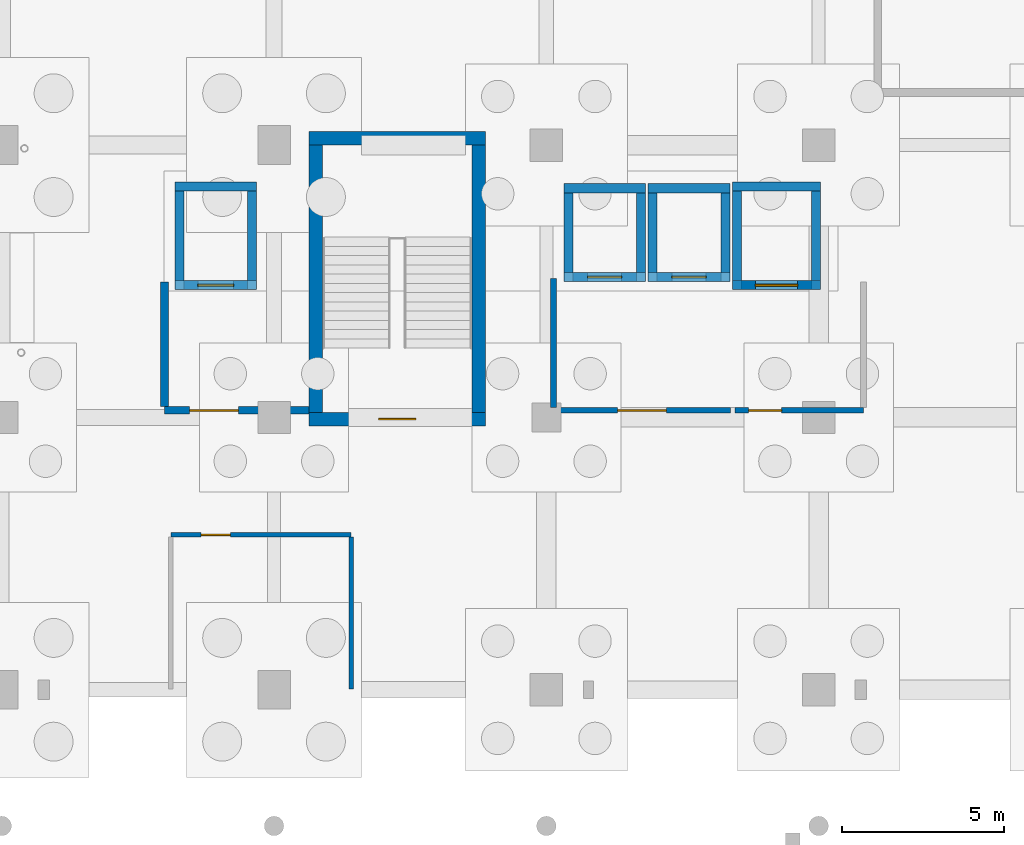
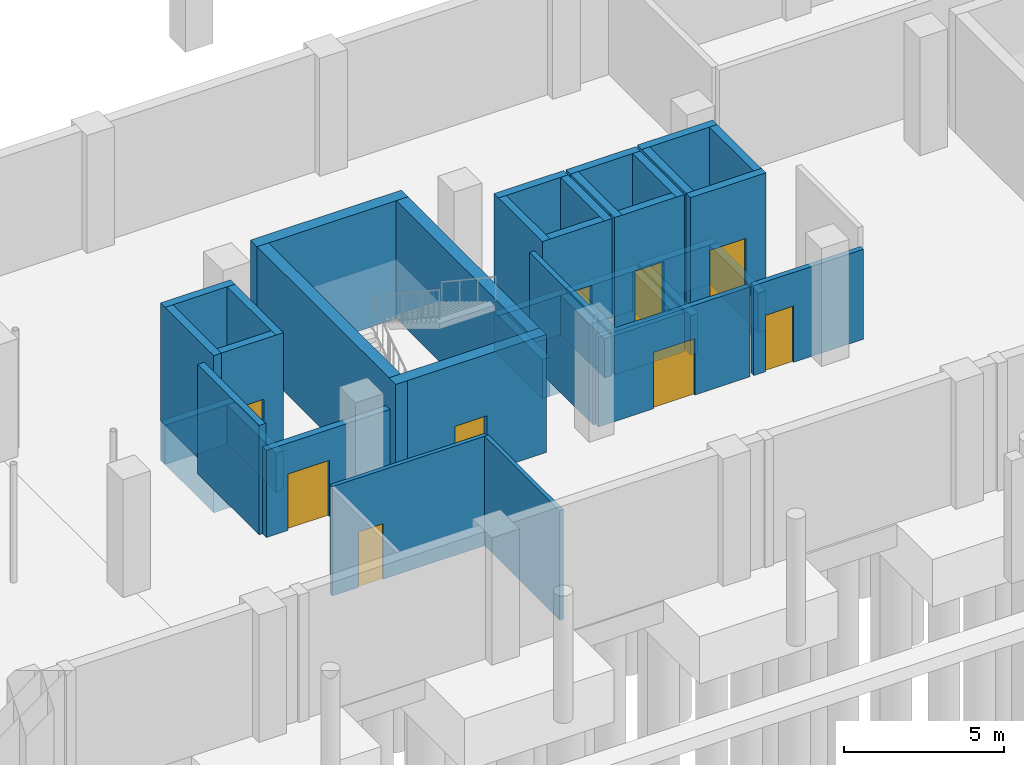
# One storey, part 31 of 39: 43 walls, 9 doors, 9 openings.
"""IFC4 building model written with IfcOpenShell, lengths in metres."""

from ifc_helpers import new_model, si_unit, derived_unit, direction, frame, frame_2d, origin, place, context, subcontext, project, spatial, rectangle, extrude, material, layer, layer_set, type_object, element, fill, save


model = new_model("IFC4")

# Units and contexts
model_context = context("Model", 3, precision=1e-05, world=origin(), true_north=direction((0.0, 1.0)))
body_context = subcontext(model_context, "Body", "Model", "MODEL_VIEW")
ifc_project = project(units=[si_unit("LENGTHUNIT", "METRE"), si_unit("AREAUNIT", "SQUARE_METRE"), si_unit("VOLUMEUNIT", "CUBIC_METRE"), si_unit("PLANEANGLEUNIT", "RADIAN"), si_unit("MASSUNIT", "GRAM", prefix="KILO"), derived_unit("THERMALTRANSMITTANCEUNIT", [(si_unit("POWERUNIT", "WATT"), 1), (si_unit("LENGTHUNIT", "METRE"), -2), (si_unit("THERMODYNAMICTEMPERATUREUNIT", "KELVIN"), -1)])], contexts=[model_context])

# Site, building, storey
site_placement = place(None, origin())
site = spatial("IfcSite", under=ifc_project, at=site_placement, CompositionType="ELEMENT")
building_placement = place(site_placement, origin())
building = spatial("IfcBuilding", under=site, at=building_placement, Name="Barrovel Congress Hotel", CompositionType="ELEMENT")
storey_placement = place(building_placement, frame((0.0, 0.0, -4.5)))
storey = spatial("IfcBuildingStorey", under=building, at=storey_placement, Name="B01", CompositionType="ELEMENT", Elevation=-4.5)

# Wall, opening, door
ifc_material_1 = material(Name="Gypsum Acoustic Stud", Category="gypsum")
ifc_layer_1 = layer(ifc_material_1, 0.179931640625)
ifc_layer_set_1 = layer_set([ifc_layer_1], Name="Gypsum Acoustic Stud")
wall_type_1 = type_object("IfcWallType", Name="PW-ACU-180", PredefinedType="PARTITIONING", material=ifc_layer_set_1)
wall_1_placement = place(storey_placement, frame((84.219970703125, 12.820068359375, 0.0), z_axis=(0.0, 0.0, 1.0), x_axis=(1.0, 0.0, 0.0)))
wall_1 = element("IfcWall", 1, at=wall_1_placement, inside=storey, type_object=wall_type_1, Name="RW:SP:B01:LL-C2:S", PredefinedType="PARTITIONING", context=body_context, shape_type="SweptSolid", body=[
    extrude(rectangle(XDim=5.4599609375, YDim=0.179931640625, at=frame_2d((2.72998046875, 0.0))), origin(), (0.0, 0.0, 1.0), 3.429931640625),
])
opening_1_placement = place(wall_1_placement, frame((1.97998046875, 0.0, 0.0)))
opening_1 = element("IfcOpeningElement", 2, at=opening_1_placement, cuts=wall_1, Name="Opening ID-FFL", PredefinedType="OPENING", context=body_context, shape_type="SweptSolid", body=[
    extrude(rectangle(XDim=1.5, YDim=2.14990234375, at=frame_2d((0.75, 1.074951171875))), frame((0.0, 0.10009765625, 0.0), z_axis=(0.0, -1.0, 0.0), x_axis=(1.0, 0.0, 0.0)), (0.0, 0.0, 1.0), 0.199951171875),
])
ifc_material_2 = material(Name="Painted Hollow-Metal Steel Door", Category="steel")
door_type_1 = type_object("IfcDoorType", Name="IDR-ID-FFL", OperationType="NOTDEFINED", PredefinedType="DOOR", material=ifc_material_2)
door_1_placement = place(opening_1_placement, origin())
door_1 = element("IfcDoor", 3, at=door_1_placement, inside=storey, type_object=door_type_1, Name="RD:SP:B01:LL-C2", OperationType="DOUBLE_DOOR_SINGLE_SWING", OverallHeight=2.14990234375, OverallWidth=1.5, PredefinedType="DOOR", context=body_context, shape_type="SweptSolid", body=[
    extrude(rectangle(XDim=1.5, YDim=2.14990234375, at=frame_2d((0.75, 1.074951171875))), frame((0.0, 0.02490234375, 0.0), z_axis=(0.0, -1.0, 0.0), x_axis=(1.0, 0.0, 0.0)), (0.0, 0.0, 1.0), 0.050048828125),
])
fill(opening_1, door_1)

# Wall
wall_2_placement = place(storey_placement, frame((84.219970703125, 12.909912109375, 0.0), z_axis=(0.0, 0.0, 1.0), x_axis=(0.0, 1.0, 0.0)))
element("IfcWall", 4, at=wall_2_placement, inside=storey, type_object=wall_type_1, Name="RW:SP:B01:LL-C2:W", PredefinedType="PARTITIONING", context=body_context, shape_type="SweptSolid", body=[
    extrude(rectangle(XDim=3.969970703125, YDim=0.179931640625, at=frame_2d((1.98486328125, 0.0))), origin(), (0.0, 0.0, 1.0), 4.175048828125),
])

# Wall, opening, door
wall_3_placement = place(storey_placement, frame((89.820068359375, 12.820068359375, 0.0), z_axis=(0.0, 0.0, 1.0), x_axis=(1.0, 0.0, 0.0)))
wall_3 = element("IfcWall", 5, at=wall_3_placement, inside=storey, type_object=wall_type_1, Name="RW:SP:B01:LL-SL2:S", PredefinedType="PARTITIONING", context=body_context, shape_type="SweptSolid", body=[
    extrude(rectangle(XDim=3.9599609375, YDim=0.179931640625, at=frame_2d((1.97998046875, 0.0))), origin(), (0.0, 0.0, 1.0), 3.429931640625),
])
opening_2_placement = place(wall_3_placement, frame((0.419921875, 0.0, 0.0)))
opening_2 = element("IfcOpeningElement", 6, at=opening_2_placement, cuts=wall_3, Name="Opening ID-ACC", PredefinedType="OPENING", context=body_context, shape_type="SweptSolid", body=[
    extrude(rectangle(XDim=1.02001953125, YDim=2.14990234375, at=frame_2d((0.510009765625, 1.074951171875))), frame((0.0, 0.10009765625, 0.0), z_axis=(0.0, -1.0, 0.0), x_axis=(1.0, 0.0, 0.0)), (0.0, 0.0, 1.0), 0.199951171875),
])
ifc_material_3 = material(Name="Solid Oak Acoustic Timber Door", Category="wood")
door_type_2 = type_object("IfcDoorType", Name="IDR-ID-ACC", OperationType="NOTDEFINED", PredefinedType="DOOR", material=ifc_material_3)
door_2_placement = place(opening_2_placement, origin())
door_2 = element("IfcDoor", 7, at=door_2_placement, inside=storey, type_object=door_type_2, Name="RD:SP:B01:LL-SL2", OperationType="SINGLE_SWING_LEFT", OverallHeight=2.14990234375, OverallWidth=1.02001953125, PredefinedType="DOOR", context=body_context, shape_type="SweptSolid", body=[
    extrude(rectangle(XDim=1.02001953125, YDim=2.14990234375, at=frame_2d((0.510009765625, 1.074951171875))), frame((0.0, 0.02490234375, 0.0), z_axis=(0.0, -1.0, 0.0), x_axis=(1.0, 0.0, 0.0)), (0.0, 0.0, 1.0), 0.050048828125),
])
fill(opening_2, door_2)

ifc_material_4 = material(Name="Fired Clay Brick Masonry", Category="masonry")
ifc_layer_2 = layer(ifc_material_4, 0.239990234375)
ifc_layer_set_2 = layer_set([ifc_layer_2], Name="Fired Clay Brick Masonry")
wall_type_2 = type_object("IfcWallType", Name="PW-MAS-240", PredefinedType="PARTITIONING", material=ifc_layer_set_2)
wall_4_placement = place(storey_placement, frame((72.219970703125, 12.820068359375, 0.0), z_axis=(0.0, 0.0, 1.0), x_axis=(1.0, 0.0, 0.0)))
wall_4 = element("IfcWall", 8, at=wall_4_placement, inside=storey, type_object=wall_type_2, Name="RW:SP:B01:FFL-2:S", PredefinedType="PARTITIONING", context=body_context, shape_type="SweptSolid", body=[
    extrude(rectangle(XDim=4.4599609375, YDim=0.239990234375, at=frame_2d((2.22998046875, 0.0))), origin(), (0.0, 0.0, 1.0), 3.330078125),
])
opening_3_placement = place(wall_4_placement, frame((0.780029296875, 0.0, 0.0)))
opening_3 = element("IfcOpeningElement", 9, at=opening_3_placement, cuts=wall_4, Name="Opening ID-FFL", PredefinedType="OPENING", context=body_context, shape_type="SweptSolid", body=[
    extrude(rectangle(XDim=1.5, YDim=2.14990234375, at=frame_2d((0.75, 1.074951171875))), frame((0.0, 0.1298828125, 0.0), z_axis=(0.0, -1.0, 0.0), x_axis=(1.0, 0.0, 0.0)), (0.0, 0.0, 1.0), 0.260009765625),
])
door_3_placement = place(opening_3_placement, origin())
door_3 = element("IfcDoor", 10, at=door_3_placement, inside=storey, type_object=door_type_1, Name="RD:SP:B01:FFL-2", OperationType="DOUBLE_DOOR_SINGLE_SWING", OverallHeight=2.14990234375, OverallWidth=1.5, PredefinedType="DOOR", context=body_context, shape_type="SweptSolid", body=[
    extrude(rectangle(XDim=1.5, YDim=2.14990234375, at=frame_2d((0.75, 1.074951171875))), frame((0.0, 0.02490234375, 0.0), z_axis=(0.0, -1.0, 0.0), x_axis=(1.0, 0.0, 0.0)), (0.0, 0.0, 1.0), 0.050048828125),
])
fill(opening_3, door_3)

# Wall
wall_5_placement = place(storey_placement, frame((72.219970703125, 12.93994140625, 0.0), z_axis=(0.0, 0.0, 1.0), x_axis=(0.0, 1.0, 0.0)))
element("IfcWall", 11, at=wall_5_placement, inside=storey, type_object=wall_type_2, Name="RW:SP:B01:FFL-2:W", PredefinedType="PARTITIONING", context=body_context, shape_type="SweptSolid", body=[
    extrude(rectangle(XDim=3.840087890625, YDim=0.239990234375, at=frame_2d((1.919921875, 0.0))), origin(), (0.0, 0.0, 1.0), 4.175048828125),
])

# Wall, opening, door
ifc_material_5 = material(Name="Gypsum Moisture Board", Category="gypsum")
ifc_layer_3 = layer(ifc_material_5, 0.139892578125)
ifc_layer_set_3 = layer_set([ifc_layer_3], Name="Gypsum Moisture Board")
wall_type_3 = type_object("IfcWallType", Name="PW-WET-140", PredefinedType="PARTITIONING", material=ifc_layer_set_3)
wall_6_placement = place(storey_placement, frame((72.419921875, 8.97998046875, 0.0), z_axis=(0.0, 0.0, 1.0), x_axis=(1.0, 0.0, 0.0)))
wall_6 = element("IfcWall", 12, at=wall_6_placement, inside=storey, type_object=wall_type_3, Name="RW:SP:B01:WC-B01:N", PredefinedType="PARTITIONING", context=body_context, shape_type="SweptSolid", body=[
    extrude(rectangle(XDim=5.56005859375, YDim=0.139892578125, at=frame_2d((2.780029296875, 0.0))), origin(), (0.0, 0.0, 1.0), 4.175048828125),
])
opening_4_placement = place(wall_6_placement, frame((0.929931640625, 0.0, 0.0)))
opening_4 = element("IfcOpeningElement", 13, at=opening_4_placement, cuts=wall_6, Name="Opening ID-WC1", PredefinedType="OPENING", context=body_context, shape_type="SweptSolid", body=[
    extrude(rectangle(XDim=0.89990234375, YDim=2.1201171875, at=frame_2d((0.449951171875, 1.06005859375))), frame((0.0, 0.080078125, 0.0), z_axis=(0.0, -1.0, 0.0), x_axis=(1.0, 0.0, 0.0)), (0.0, 0.0, 1.0), 0.159912109375),
])
ifc_material_6 = material(Name="Lacquered Timber Moisture Door", Category="wood")
door_type_3 = type_object("IfcDoorType", Name="IDR-ID-WC1", OperationType="NOTDEFINED", PredefinedType="DOOR", material=ifc_material_6)
door_4_placement = place(opening_4_placement, origin())
door_4 = element("IfcDoor", 14, at=door_4_placement, inside=storey, type_object=door_type_3, Name="RD:SP:B01:WC-B01", OperationType="SINGLE_SWING_LEFT", OverallHeight=2.1201171875, OverallWidth=0.89990234375, PredefinedType="DOOR", context=body_context, shape_type="SweptSolid", body=[
    extrude(rectangle(XDim=0.89990234375, YDim=2.1201171875, at=frame_2d((0.449951171875, 1.06005859375))), frame((0.0, 0.02490234375, 0.0), z_axis=(0.0, -1.0, 0.0), x_axis=(1.0, 0.0, 0.0)), (0.0, 0.0, 1.0), 0.050048828125),
])
fill(opening_4, door_4)

# Walls
wall_7_placement = place(storey_placement, frame((77.97998046875, 4.219970703125, 0.0), z_axis=(0.0, 0.0, 1.0), x_axis=(0.0, 1.0, 0.0)))
element("IfcWall", 15, at=wall_7_placement, inside=storey, type_object=wall_type_3, Name="RW:SP:B01:WC-B01:E", PredefinedType="PARTITIONING", context=body_context, shape_type="SweptSolid", body=[
    extrude(rectangle(XDim=4.68994140625, YDim=0.139892578125, at=frame_2d((2.344970703125, 0.0))), origin(), (0.0, 0.0, 1.0), 4.175048828125),
])
ifc_material_7 = material(Name="Concrete C40", Category="concrete")
ifc_layer_4 = layer(ifc_material_7, 0.280029296875)
ifc_layer_set_4 = layer_set([ifc_layer_4], Name="Concrete C40")
wall_type_4 = type_object("IfcWallType", Name="SW-C40-280", PredefinedType="SHEAR", material=ifc_layer_set_4)
wall_8_placement = place(storey_placement, frame((72.5400390625, 16.679931640625, -1.5), z_axis=(0.0, 0.0, 1.0), x_axis=(1.0, 0.0, 0.0)))
element("IfcWall", 16, at=wall_8_placement, inside=storey, type_object=wall_type_4, Name="LSH:FL-2:PIT:S", PredefinedType="SHEAR", context=body_context, shape_type="SweptSolid", body=[
    extrude(rectangle(XDim=2.52001953125, YDim=0.280029296875, at=frame_2d((1.260009765625, 0.0))), origin(), (0.0, 0.0, 1.0), 1.5),
])
wall_9_placement = place(storey_placement, frame((74.919921875, 16.5400390625, -1.5), z_axis=(0.0, 0.0, 1.0), x_axis=(0.0, 1.0, 0.0)))
element("IfcWall", 17, at=wall_9_placement, inside=storey, type_object=wall_type_4, Name="LSH:FL-2:PIT:E", PredefinedType="SHEAR", context=body_context, shape_type="SweptSolid", body=[
    extrude(rectangle(XDim=3.320068359375, YDim=0.280029296875, at=frame_2d((1.66015625, 0.0))), origin(), (0.0, 0.0, 1.0), 1.5),
])
wall_10_placement = place(storey_placement, frame((75.06005859375, 19.719970703125, -1.5), z_axis=(0.0, 0.0, 1.0), x_axis=(-1.0, 0.0, 0.0)))
element("IfcWall", 18, at=wall_10_placement, inside=storey, type_object=wall_type_4, Name="LSH:FL-2:PIT:N", PredefinedType="SHEAR", context=body_context, shape_type="SweptSolid", body=[
    extrude(rectangle(XDim=2.52001953125, YDim=0.280029296875, at=frame_2d((1.260009765625, 0.0))), origin(), (0.0, 0.0, 1.0), 1.5),
])
wall_11_placement = place(storey_placement, frame((72.679931640625, 19.860107421875, -1.5), z_axis=(0.0, 0.0, 1.0), x_axis=(0.0, -1.0, 0.0)))
element("IfcWall", 19, at=wall_11_placement, inside=storey, type_object=wall_type_4, Name="LSH:FL-2:PIT:W", PredefinedType="SHEAR", context=body_context, shape_type="SweptSolid", body=[
    extrude(rectangle(XDim=3.320068359375, YDim=0.280029296875, at=frame_2d((1.66015625, 0.0))), origin(), (0.0, 0.0, 1.0), 1.5),
])

# Wall, opening, door
wall_12_placement = place(storey_placement, frame((72.5400390625, 16.679931640625, 0.0), z_axis=(0.0, 0.0, 1.0), x_axis=(1.0, 0.0, 0.0)))
wall_12 = element("IfcWall", 20, at=wall_12_placement, inside=storey, type_object=wall_type_4, Name="LSH:FL-2:B01:S", PredefinedType="SHEAR", context=body_context, shape_type="SweptSolid", body=[
    extrude(rectangle(XDim=2.52001953125, YDim=0.280029296875, at=frame_2d((1.260009765625, 0.0))), origin(), (0.0, 0.0, 1.0), 4.5),
])
opening_5_placement = place(wall_12_placement, frame((0.7099609375, 0.0, 0.0)))
opening_5 = element("IfcOpeningElement", 21, at=opening_5_placement, cuts=wall_12, Name="Opening LD-FF", PredefinedType="OPENING", context=body_context, shape_type="SweptSolid", body=[
    extrude(rectangle(XDim=1.10009765625, YDim=2.199951171875, at=frame_2d((0.550048828125, 1.10009765625))), frame((0.0, 0.14990234375, 0.0), z_axis=(0.0, -1.0, 0.0), x_axis=(1.0, 0.0, 0.0)), (0.0, 0.0, 1.0), 0.300048828125),
])
ifc_material_8 = material(Name="Brushed Stainless Steel", Category="steel")
door_type_4 = type_object("IfcDoorType", Name="IDR-LD-FF", OperationType="NOTDEFINED", PredefinedType="DOOR", material=ifc_material_8)
door_5_placement = place(opening_5_placement, origin())
door_5 = element("IfcDoor", 22, at=door_5_placement, inside=storey, type_object=door_type_4, Name="Lift Landing Door LD-FL-2-B01", OperationType="SLIDING_TO_LEFT", OverallHeight=2.199951171875, OverallWidth=1.10009765625, PredefinedType="DOOR", context=body_context, shape_type="SweptSolid", body=[
    extrude(rectangle(XDim=1.10009765625, YDim=2.199951171875, at=frame_2d((0.550048828125, 1.10009765625))), frame((0.0, 0.02490234375, 0.0), z_axis=(0.0, -1.0, 0.0), x_axis=(1.0, 0.0, 0.0)), (0.0, 0.0, 1.0), 0.050048828125),
])
fill(opening_5, door_5)

# Walls
wall_13_placement = place(storey_placement, frame((74.919921875, 16.5400390625, 0.0), z_axis=(0.0, 0.0, 1.0), x_axis=(0.0, 1.0, 0.0)))
element("IfcWall", 23, at=wall_13_placement, inside=storey, type_object=wall_type_4, Name="LSH:FL-2:B01:E", PredefinedType="SHEAR", context=body_context, shape_type="SweptSolid", body=[
    extrude(rectangle(XDim=3.320068359375, YDim=0.280029296875, at=frame_2d((1.66015625, 0.0))), origin(), (0.0, 0.0, 1.0), 4.5),
])
wall_14_placement = place(storey_placement, frame((75.06005859375, 19.719970703125, 0.0), z_axis=(0.0, 0.0, 1.0), x_axis=(-1.0, 0.0, 0.0)))
element("IfcWall", 24, at=wall_14_placement, inside=storey, type_object=wall_type_4, Name="LSH:FL-2:B01:N", PredefinedType="SHEAR", context=body_context, shape_type="SweptSolid", body=[
    extrude(rectangle(XDim=2.52001953125, YDim=0.280029296875, at=frame_2d((1.260009765625, 0.0))), origin(), (0.0, 0.0, 1.0), 4.5),
])
wall_15_placement = place(storey_placement, frame((72.679931640625, 19.860107421875, 0.0), z_axis=(0.0, 0.0, 1.0), x_axis=(0.0, -1.0, 0.0)))
element("IfcWall", 25, at=wall_15_placement, inside=storey, type_object=wall_type_4, Name="LSH:FL-2:B01:W", PredefinedType="SHEAR", context=body_context, shape_type="SweptSolid", body=[
    extrude(rectangle(XDim=3.320068359375, YDim=0.280029296875, at=frame_2d((1.66015625, 0.0))), origin(), (0.0, 0.0, 1.0), 4.5),
])
wall_16_placement = place(storey_placement, frame((84.5400390625, 16.929931640625, -1.5), z_axis=(0.0, 0.0, 1.0), x_axis=(1.0, 0.0, 0.0)))
element("IfcWall", 26, at=wall_16_placement, inside=storey, type_object=wall_type_4, Name="LSH:PL-3:PIT:S", PredefinedType="SHEAR", context=body_context, shape_type="SweptSolid", body=[
    extrude(rectangle(XDim=2.52001953125, YDim=0.280029296875, at=frame_2d((1.260009765625, 0.0))), origin(), (0.0, 0.0, 1.0), 1.5),
])
wall_17_placement = place(storey_placement, frame((86.919921875, 16.7900390625, -1.5), z_axis=(0.0, 0.0, 1.0), x_axis=(0.0, 1.0, 0.0)))
element("IfcWall", 27, at=wall_17_placement, inside=storey, type_object=wall_type_4, Name="LSH:PL-3:PIT:E", PredefinedType="SHEAR", context=body_context, shape_type="SweptSolid", body=[
    extrude(rectangle(XDim=3.02001953125, YDim=0.280029296875, at=frame_2d((1.510009765625, 0.0))), origin(), (0.0, 0.0, 1.0), 1.5),
])
wall_18_placement = place(storey_placement, frame((87.06005859375, 19.669921875, -1.5), z_axis=(0.0, 0.0, 1.0), x_axis=(-1.0, 0.0, 0.0)))
element("IfcWall", 28, at=wall_18_placement, inside=storey, type_object=wall_type_4, Name="LSH:PL-3:PIT:N", PredefinedType="SHEAR", context=body_context, shape_type="SweptSolid", body=[
    extrude(rectangle(XDim=2.52001953125, YDim=0.280029296875, at=frame_2d((1.260009765625, 0.0))), origin(), (0.0, 0.0, 1.0), 1.5),
])
wall_19_placement = place(storey_placement, frame((84.679931640625, 19.81005859375, -1.5), z_axis=(0.0, 0.0, 1.0), x_axis=(0.0, -1.0, 0.0)))
element("IfcWall", 29, at=wall_19_placement, inside=storey, type_object=wall_type_4, Name="LSH:PL-3:PIT:W", PredefinedType="SHEAR", context=body_context, shape_type="SweptSolid", body=[
    extrude(rectangle(XDim=3.02001953125, YDim=0.280029296875, at=frame_2d((1.510009765625, 0.0))), origin(), (0.0, 0.0, 1.0), 1.5),
])

# Wall, opening, door
wall_20_placement = place(storey_placement, frame((84.5400390625, 16.929931640625, 0.0), z_axis=(0.0, 0.0, 1.0), x_axis=(1.0, 0.0, 0.0)))
wall_20 = element("IfcWall", 30, at=wall_20_placement, inside=storey, type_object=wall_type_4, Name="LSH:PL-3:B01:S", PredefinedType="SHEAR", context=body_context, shape_type="SweptSolid", body=[
    extrude(rectangle(XDim=2.52001953125, YDim=0.280029296875, at=frame_2d((1.260009765625, 0.0))), origin(), (0.0, 0.0, 1.0), 4.5),
])
opening_6_placement = place(wall_20_placement, frame((0.735107421875, 0.0, 0.0)))
opening_6 = element("IfcOpeningElement", 31, at=opening_6_placement, cuts=wall_20, Name="Opening LD-PAX", PredefinedType="OPENING", context=body_context, shape_type="SweptSolid", body=[
    extrude(rectangle(XDim=1.050048828125, YDim=2.199951171875, at=frame_2d((0.52490234375, 1.10009765625))), frame((0.0, 0.14990234375, 0.0), z_axis=(0.0, -1.0, 0.0), x_axis=(1.0, 0.0, 0.0)), (0.0, 0.0, 1.0), 0.300048828125),
])
door_type_5 = type_object("IfcDoorType", Name="IDR-LD-PAX", OperationType="NOTDEFINED", PredefinedType="DOOR", material=ifc_material_8)
door_6_placement = place(opening_6_placement, origin())
door_6 = element("IfcDoor", 32, at=door_6_placement, inside=storey, type_object=door_type_5, Name="Lift Landing Door LD-PL-3-B01", OperationType="SLIDING_TO_LEFT", OverallHeight=2.199951171875, OverallWidth=1.050048828125, PredefinedType="DOOR", context=body_context, shape_type="SweptSolid", body=[
    extrude(rectangle(XDim=1.050048828125, YDim=2.199951171875, at=frame_2d((0.52490234375, 1.10009765625))), frame((0.0, 0.02490234375, 0.0), z_axis=(0.0, -1.0, 0.0), x_axis=(1.0, 0.0, 0.0)), (0.0, 0.0, 1.0), 0.050048828125),
])
fill(opening_6, door_6)

# Walls
wall_21_placement = place(storey_placement, frame((86.919921875, 16.7900390625, 0.0), z_axis=(0.0, 0.0, 1.0), x_axis=(0.0, 1.0, 0.0)))
element("IfcWall", 33, at=wall_21_placement, inside=storey, type_object=wall_type_4, Name="LSH:PL-3:B01:E", PredefinedType="SHEAR", context=body_context, shape_type="SweptSolid", body=[
    extrude(rectangle(XDim=3.02001953125, YDim=0.280029296875, at=frame_2d((1.510009765625, 0.0))), origin(), (0.0, 0.0, 1.0), 4.5),
])
wall_22_placement = place(storey_placement, frame((87.06005859375, 19.669921875, 0.0), z_axis=(0.0, 0.0, 1.0), x_axis=(-1.0, 0.0, 0.0)))
element("IfcWall", 34, at=wall_22_placement, inside=storey, type_object=wall_type_4, Name="LSH:PL-3:B01:N", PredefinedType="SHEAR", context=body_context, shape_type="SweptSolid", body=[
    extrude(rectangle(XDim=2.52001953125, YDim=0.280029296875, at=frame_2d((1.260009765625, 0.0))), origin(), (0.0, 0.0, 1.0), 4.5),
])
wall_23_placement = place(storey_placement, frame((84.679931640625, 19.81005859375, 0.0), z_axis=(0.0, 0.0, 1.0), x_axis=(0.0, -1.0, 0.0)))
element("IfcWall", 35, at=wall_23_placement, inside=storey, type_object=wall_type_4, Name="LSH:PL-3:B01:W", PredefinedType="SHEAR", context=body_context, shape_type="SweptSolid", body=[
    extrude(rectangle(XDim=3.02001953125, YDim=0.280029296875, at=frame_2d((1.510009765625, 0.0))), origin(), (0.0, 0.0, 1.0), 4.5),
])
wall_24_placement = place(storey_placement, frame((87.139892578125, 16.929931640625, -1.5), z_axis=(0.0, 0.0, 1.0), x_axis=(1.0, 0.0, 0.0)))
element("IfcWall", 36, at=wall_24_placement, inside=storey, type_object=wall_type_4, Name="LSH:PL-4:PIT:S", PredefinedType="SHEAR", context=body_context, shape_type="SweptSolid", body=[
    extrude(rectangle(XDim=2.52001953125, YDim=0.280029296875, at=frame_2d((1.260009765625, 0.0))), origin(), (0.0, 0.0, 1.0), 1.5),
])
wall_25_placement = place(storey_placement, frame((89.52001953125, 16.7900390625, -1.5), z_axis=(0.0, 0.0, 1.0), x_axis=(0.0, 1.0, 0.0)))
element("IfcWall", 37, at=wall_25_placement, inside=storey, type_object=wall_type_4, Name="LSH:PL-4:PIT:E", PredefinedType="SHEAR", context=body_context, shape_type="SweptSolid", body=[
    extrude(rectangle(XDim=3.02001953125, YDim=0.280029296875, at=frame_2d((1.510009765625, 0.0))), origin(), (0.0, 0.0, 1.0), 1.5),
])
wall_26_placement = place(storey_placement, frame((89.659912109375, 19.669921875, -1.5), z_axis=(0.0, 0.0, 1.0), x_axis=(-1.0, 0.0, 0.0)))
element("IfcWall", 38, at=wall_26_placement, inside=storey, type_object=wall_type_4, Name="LSH:PL-4:PIT:N", PredefinedType="SHEAR", context=body_context, shape_type="SweptSolid", body=[
    extrude(rectangle(XDim=2.52001953125, YDim=0.280029296875, at=frame_2d((1.260009765625, 0.0))), origin(), (0.0, 0.0, 1.0), 1.5),
])
wall_27_placement = place(storey_placement, frame((87.280029296875, 19.81005859375, -1.5), z_axis=(0.0, 0.0, 1.0), x_axis=(0.0, -1.0, 0.0)))
element("IfcWall", 39, at=wall_27_placement, inside=storey, type_object=wall_type_4, Name="LSH:PL-4:PIT:W", PredefinedType="SHEAR", context=body_context, shape_type="SweptSolid", body=[
    extrude(rectangle(XDim=3.02001953125, YDim=0.280029296875, at=frame_2d((1.510009765625, 0.0))), origin(), (0.0, 0.0, 1.0), 1.5),
])

# Wall, opening, door
wall_28_placement = place(storey_placement, frame((87.139892578125, 16.929931640625, 0.0), z_axis=(0.0, 0.0, 1.0), x_axis=(1.0, 0.0, 0.0)))
wall_28 = element("IfcWall", 40, at=wall_28_placement, inside=storey, type_object=wall_type_4, Name="LSH:PL-4:B01:S", PredefinedType="SHEAR", context=body_context, shape_type="SweptSolid", body=[
    extrude(rectangle(XDim=2.52001953125, YDim=0.280029296875, at=frame_2d((1.260009765625, 0.0))), origin(), (0.0, 0.0, 1.0), 4.5),
])
opening_7_placement = place(wall_28_placement, frame((0.735107421875, 0.0, 0.0)))
opening_7 = element("IfcOpeningElement", 41, at=opening_7_placement, cuts=wall_28, Name="Opening LD-PAX", PredefinedType="OPENING", context=body_context, shape_type="SweptSolid", body=[
    extrude(rectangle(XDim=1.050048828125, YDim=2.199951171875, at=frame_2d((0.52490234375, 1.10009765625))), frame((0.0, 0.14990234375, 0.0), z_axis=(0.0, -1.0, 0.0), x_axis=(1.0, 0.0, 0.0)), (0.0, 0.0, 1.0), 0.300048828125),
])
door_7_placement = place(opening_7_placement, origin())
door_7 = element("IfcDoor", 42, at=door_7_placement, inside=storey, type_object=door_type_5, Name="Lift Landing Door LD-PL-4-B01", OperationType="SLIDING_TO_LEFT", OverallHeight=2.199951171875, OverallWidth=1.050048828125, PredefinedType="DOOR", context=body_context, shape_type="SweptSolid", body=[
    extrude(rectangle(XDim=1.050048828125, YDim=2.199951171875, at=frame_2d((0.52490234375, 1.10009765625))), frame((0.0, 0.02490234375, 0.0), z_axis=(0.0, -1.0, 0.0), x_axis=(1.0, 0.0, 0.0)), (0.0, 0.0, 1.0), 0.050048828125),
])
fill(opening_7, door_7)

# Walls
wall_29_placement = place(storey_placement, frame((89.52001953125, 16.7900390625, 0.0), z_axis=(0.0, 0.0, 1.0), x_axis=(0.0, 1.0, 0.0)))
element("IfcWall", 43, at=wall_29_placement, inside=storey, type_object=wall_type_4, Name="LSH:PL-4:B01:E", PredefinedType="SHEAR", context=body_context, shape_type="SweptSolid", body=[
    extrude(rectangle(XDim=3.02001953125, YDim=0.280029296875, at=frame_2d((1.510009765625, 0.0))), origin(), (0.0, 0.0, 1.0), 4.5),
])
wall_30_placement = place(storey_placement, frame((89.659912109375, 19.669921875, 0.0), z_axis=(0.0, 0.0, 1.0), x_axis=(-1.0, 0.0, 0.0)))
element("IfcWall", 44, at=wall_30_placement, inside=storey, type_object=wall_type_4, Name="LSH:PL-4:B01:N", PredefinedType="SHEAR", context=body_context, shape_type="SweptSolid", body=[
    extrude(rectangle(XDim=2.52001953125, YDim=0.280029296875, at=frame_2d((1.260009765625, 0.0))), origin(), (0.0, 0.0, 1.0), 4.5),
])
wall_31_placement = place(storey_placement, frame((87.280029296875, 19.81005859375, 0.0), z_axis=(0.0, 0.0, 1.0), x_axis=(0.0, -1.0, 0.0)))
element("IfcWall", 45, at=wall_31_placement, inside=storey, type_object=wall_type_4, Name="LSH:PL-4:B01:W", PredefinedType="SHEAR", context=body_context, shape_type="SweptSolid", body=[
    extrude(rectangle(XDim=3.02001953125, YDim=0.280029296875, at=frame_2d((1.510009765625, 0.0))), origin(), (0.0, 0.0, 1.0), 4.5),
])
wall_32_placement = place(storey_placement, frame((89.739990234375, 16.679931640625, -1.5), z_axis=(0.0, 0.0, 1.0), x_axis=(1.0, 0.0, 0.0)))
element("IfcWall", 46, at=wall_32_placement, inside=storey, type_object=wall_type_4, Name="LSH:SL-2:PIT:S", PredefinedType="SHEAR", context=body_context, shape_type="SweptSolid", body=[
    extrude(rectangle(XDim=2.719970703125, YDim=0.280029296875, at=frame_2d((1.35986328125, 0.0))), origin(), (0.0, 0.0, 1.0), 1.5),
])
wall_33_placement = place(storey_placement, frame((92.320068359375, 16.5400390625, -1.5), z_axis=(0.0, 0.0, 1.0), x_axis=(0.0, 1.0, 0.0)))
element("IfcWall", 47, at=wall_33_placement, inside=storey, type_object=wall_type_4, Name="LSH:SL-2:PIT:E", PredefinedType="SHEAR", context=body_context, shape_type="SweptSolid", body=[
    extrude(rectangle(XDim=3.320068359375, YDim=0.280029296875, at=frame_2d((1.66015625, 0.0))), origin(), (0.0, 0.0, 1.0), 1.5),
])
wall_34_placement = place(storey_placement, frame((92.4599609375, 19.719970703125, -1.5), z_axis=(0.0, 0.0, 1.0), x_axis=(-1.0, 0.0, 0.0)))
element("IfcWall", 48, at=wall_34_placement, inside=storey, type_object=wall_type_4, Name="LSH:SL-2:PIT:N", PredefinedType="SHEAR", context=body_context, shape_type="SweptSolid", body=[
    extrude(rectangle(XDim=2.719970703125, YDim=0.280029296875, at=frame_2d((1.35986328125, 0.0))), origin(), (0.0, 0.0, 1.0), 1.5),
])
wall_35_placement = place(storey_placement, frame((89.8798828125, 19.860107421875, -1.5), z_axis=(0.0, 0.0, 1.0), x_axis=(0.0, -1.0, 0.0)))
element("IfcWall", 49, at=wall_35_placement, inside=storey, type_object=wall_type_4, Name="LSH:SL-2:PIT:W", PredefinedType="SHEAR", context=body_context, shape_type="SweptSolid", body=[
    extrude(rectangle(XDim=3.320068359375, YDim=0.280029296875, at=frame_2d((1.66015625, 0.0))), origin(), (0.0, 0.0, 1.0), 1.5),
])

# Wall, opening, door
wall_36_placement = place(storey_placement, frame((89.739990234375, 16.679931640625, 0.0), z_axis=(0.0, 0.0, 1.0), x_axis=(1.0, 0.0, 0.0)))
wall_36 = element("IfcWall", 50, at=wall_36_placement, inside=storey, type_object=wall_type_4, Name="LSH:SL-2:B01:S", PredefinedType="SHEAR", context=body_context, shape_type="SweptSolid", body=[
    extrude(rectangle(XDim=2.719970703125, YDim=0.280029296875, at=frame_2d((1.35986328125, 0.0))), origin(), (0.0, 0.0, 1.0), 4.5),
])
opening_8_placement = place(wall_36_placement, frame((0.7099609375, 0.0, 0.0)))
opening_8 = element("IfcOpeningElement", 51, at=opening_8_placement, cuts=wall_36, Name="Opening LD-SRV", PredefinedType="OPENING", context=body_context, shape_type="SweptSolid", body=[
    extrude(rectangle(XDim=1.300048828125, YDim=2.25, at=frame_2d((0.64990234375, 1.125))), frame((0.0, 0.14990234375, 0.0), z_axis=(0.0, -1.0, 0.0), x_axis=(1.0, 0.0, 0.0)), (0.0, 0.0, 1.0), 0.300048828125),
])
door_type_6 = type_object("IfcDoorType", Name="IDR-LD-SRV", OperationType="NOTDEFINED", PredefinedType="DOOR", material=ifc_material_8)
door_8_placement = place(opening_8_placement, origin())
door_8 = element("IfcDoor", 52, at=door_8_placement, inside=storey, type_object=door_type_6, Name="Lift Landing Door LD-SL-2-B01", OperationType="SLIDING_TO_LEFT", OverallHeight=2.25, OverallWidth=1.300048828125, PredefinedType="DOOR", context=body_context, shape_type="SweptSolid", body=[
    extrude(rectangle(XDim=1.300048828125, YDim=2.25, at=frame_2d((0.64990234375, 1.125))), frame((0.0, 0.02490234375, 0.0), z_axis=(0.0, -1.0, 0.0), x_axis=(1.0, 0.0, 0.0)), (0.0, 0.0, 1.0), 0.050048828125),
])
fill(opening_8, door_8)

# Walls
wall_37_placement = place(storey_placement, frame((92.320068359375, 16.5400390625, 0.0), z_axis=(0.0, 0.0, 1.0), x_axis=(0.0, 1.0, 0.0)))
element("IfcWall", 53, at=wall_37_placement, inside=storey, type_object=wall_type_4, Name="LSH:SL-2:B01:E", PredefinedType="SHEAR", context=body_context, shape_type="SweptSolid", body=[
    extrude(rectangle(XDim=3.320068359375, YDim=0.280029296875, at=frame_2d((1.66015625, 0.0))), origin(), (0.0, 0.0, 1.0), 4.5),
])
wall_38_placement = place(storey_placement, frame((92.4599609375, 19.719970703125, 0.0), z_axis=(0.0, 0.0, 1.0), x_axis=(-1.0, 0.0, 0.0)))
element("IfcWall", 54, at=wall_38_placement, inside=storey, type_object=wall_type_4, Name="LSH:SL-2:B01:N", PredefinedType="SHEAR", context=body_context, shape_type="SweptSolid", body=[
    extrude(rectangle(XDim=2.719970703125, YDim=0.280029296875, at=frame_2d((1.35986328125, 0.0))), origin(), (0.0, 0.0, 1.0), 4.5),
])
wall_39_placement = place(storey_placement, frame((89.8798828125, 19.860107421875, 0.0), z_axis=(0.0, 0.0, 1.0), x_axis=(0.0, -1.0, 0.0)))
element("IfcWall", 55, at=wall_39_placement, inside=storey, type_object=wall_type_4, Name="LSH:SL-2:B01:W", PredefinedType="SHEAR", context=body_context, shape_type="SweptSolid", body=[
    extrude(rectangle(XDim=3.320068359375, YDim=0.280029296875, at=frame_2d((1.66015625, 0.0))), origin(), (0.0, 0.0, 1.0), 4.5),
])

# Wall, opening, door
ifc_material_9 = material(Name="Concrete C50", Category="concrete")
ifc_layer_5 = layer(ifc_material_9, 0.419921875)
ifc_layer_set_5 = layer_set([ifc_layer_5], Name="Concrete C50")
wall_type_5 = type_object("IfcWallType", Name="SW-C50-420", PredefinedType="SHEAR", material=ifc_layer_set_5)
wall_40_placement = place(storey_placement, frame((76.679931640625, 12.550048828125, 0.0), z_axis=(0.0, 0.0, 1.0), x_axis=(1.0, 0.0, 0.0)))
wall_40 = element("IfcWall", 56, at=wall_40_placement, inside=storey, type_object=wall_type_5, Name="SHW:XS-02:B01:S", PredefinedType="SHEAR", context=body_context, shape_type="SweptSolid", body=[
    extrude(rectangle(XDim=5.440185546875, YDim=0.419921875, at=frame_2d((2.72021484375, 0.0))), origin(), (0.0, 0.0, 1.0), 4.5),
])
opening_9_placement = place(wall_40_placement, frame((2.14501953125, 0.0, 0.0)))
opening_9 = element("IfcOpeningElement", 57, at=opening_9_placement, cuts=wall_40, Name="Opening ID-ST1", PredefinedType="OPENING", context=body_context, shape_type="SweptSolid", body=[
    extrude(rectangle(XDim=1.14990234375, YDim=2.14990234375, at=frame_2d((0.574951171875, 1.074951171875))), frame((0.0, 0.219970703125, 0.0), z_axis=(0.0, -1.0, 0.0), x_axis=(1.0, 0.0, 0.0)), (0.0, 0.0, 1.0), 0.43994140625),
])
door_type_7 = type_object("IfcDoorType", Name="IDR-ID-ST1", OperationType="NOTDEFINED", PredefinedType="DOOR", material=ifc_material_2)
door_9_placement = place(opening_9_placement, origin())
door_9 = element("IfcDoor", 58, at=door_9_placement, inside=storey, type_object=door_type_7, Name="Stair Core Fire Door XS-02-B01", OperationType="SINGLE_SWING_RIGHT", OverallHeight=2.14990234375, OverallWidth=1.14990234375, PredefinedType="DOOR", context=body_context, shape_type="SweptSolid", body=[
    extrude(rectangle(XDim=1.14990234375, YDim=2.14990234375, at=frame_2d((0.574951171875, 1.074951171875))), frame((0.0, 0.02490234375, 0.0), z_axis=(0.0, -1.0, 0.0), x_axis=(1.0, 0.0, 0.0)), (0.0, 0.0, 1.0), 0.050048828125),
])
fill(opening_9, door_9)

# Walls
wall_41_placement = place(storey_placement, frame((81.909912109375, 12.340087890625, 0.0), z_axis=(0.0, 0.0, 1.0), x_axis=(0.0, 1.0, 0.0)))
element("IfcWall", 59, at=wall_41_placement, inside=storey, type_object=wall_type_5, Name="SHW:XS-02:B01:E", PredefinedType="SHEAR", context=body_context, shape_type="SweptSolid", body=[
    extrude(rectangle(XDim=9.079833984375, YDim=0.419921875, at=frame_2d((4.5400390625, 0.0))), origin(), (0.0, 0.0, 1.0), 4.5),
])
wall_42_placement = place(storey_placement, frame((82.1201171875, 21.2099609375, 0.0), z_axis=(0.0, 0.0, 1.0), x_axis=(-1.0, 0.0, 0.0)))
element("IfcWall", 60, at=wall_42_placement, inside=storey, type_object=wall_type_5, Name="SHW:XS-02:B01:N", PredefinedType="SHEAR", context=body_context, shape_type="SweptSolid", body=[
    extrude(rectangle(XDim=5.440185546875, YDim=0.419921875, at=frame_2d((2.72021484375, 0.0))), origin(), (0.0, 0.0, 1.0), 4.5),
])
wall_43_placement = place(storey_placement, frame((76.889892578125, 21.419921875, 0.0), z_axis=(0.0, 0.0, 1.0), x_axis=(0.0, -1.0, 0.0)))
element("IfcWall", 61, at=wall_43_placement, inside=storey, type_object=wall_type_5, Name="SHW:XS-02:B01:W", PredefinedType="SHEAR", context=body_context, shape_type="SweptSolid", body=[
    extrude(rectangle(XDim=9.079833984375, YDim=0.419921875, at=frame_2d((4.5400390625, 0.0))), origin(), (0.0, 0.0, 1.0), 4.5),
])

save(model, "model.ifc")
